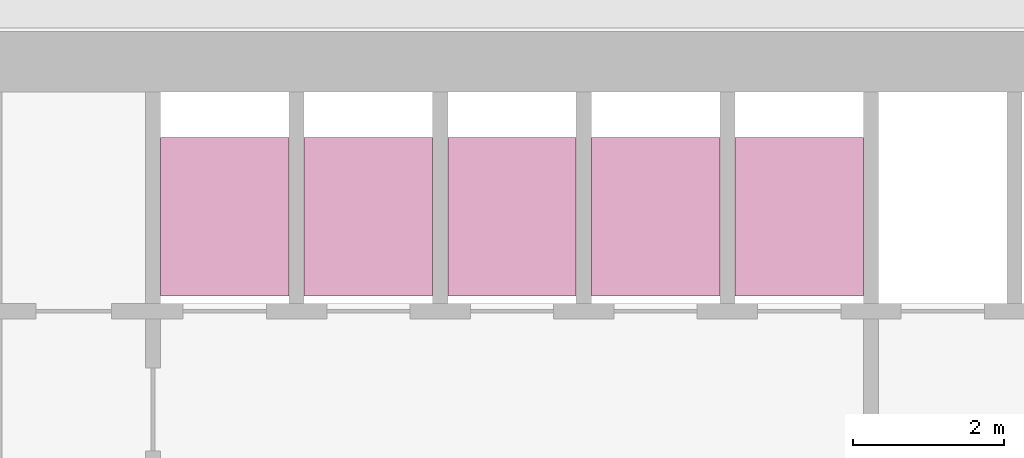
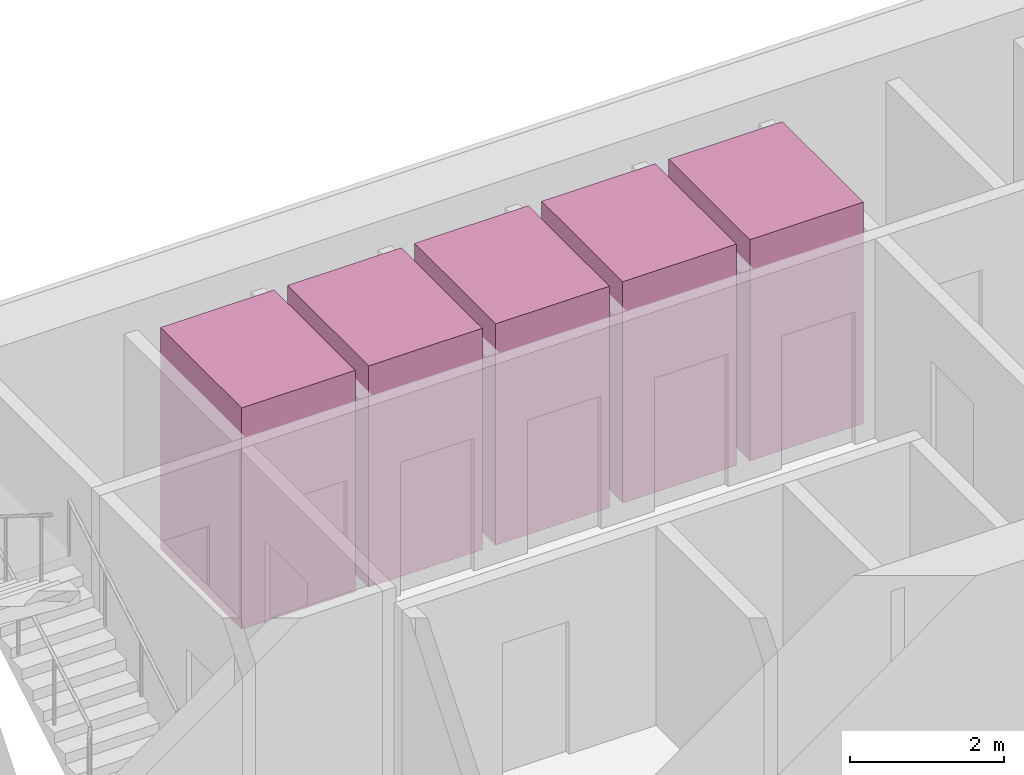
# One storey, part 13 of 13: 5 transport elements.
"""IFC4 building model written with IfcOpenShell, lengths in metres."""

from ifc_helpers import new_model, si_unit, direction, frame, origin, origin_2d, place, context, subcontext, project, spatial, rectangle, extrude, material, type_object, element, save


model = new_model("IFC4")

# Units and contexts
model_context = context("Model", 3, precision=1e-05, world=origin(), true_north=direction((0.0, 1.0)))
body_context = subcontext(model_context, "Body", "Model", "MODEL_VIEW")
ifc_project = project(units=[si_unit("LENGTHUNIT", "METRE"), si_unit("AREAUNIT", "SQUARE_METRE"), si_unit("VOLUMEUNIT", "CUBIC_METRE"), si_unit("PLANEANGLEUNIT", "RADIAN"), si_unit("MASSUNIT", "GRAM", prefix="KILO")], contexts=[model_context])

# Site, building, storey
site_placement = place(None, origin())
site = spatial("IfcSite", under=ifc_project, at=site_placement, CompositionType="ELEMENT")
building_placement = place(site_placement, origin())
building = spatial("IfcBuilding", under=site, at=building_placement, Name="Altiplano Prism Tower", CompositionType="ELEMENT")
storey_placement = place(building_placement, frame((0.0, 0.0, 156.60009765625)))
storey = spatial("IfcBuildingStorey", under=building, at=storey_placement, Name="L40", CompositionType="ELEMENT", Elevation=156.60009765625)

# Transport elements
ifc_material = material(Name="Stainless steel lift car", Category="steel")
transport_element_type = type_object("IfcTransportElementType", Name="Passenger lift car 1600 x 2100", PredefinedType="ELEVATOR", material=ifc_material)
for number, where, z_axis, x_axis, name in (
    (1, (79.050048828125, 101.75, 0.0498046875), (0.0, 0.0, 1.0), (1.0, 0.0, 0.0), "Mid Zone Passenger Lift 1"),
    (2, (80.949951171875, 101.75, 0.0498046875), (0.0, 0.0, 1.0), (1.0, 0.0, 0.0), "Mid Zone Passenger Lift 2"),
    (3, (82.85009765625, 101.75, 0.0498046875), (0.0, 0.0, 1.0), (1.0, 0.0, 0.0), "Mid Zone Passenger Lift 3"),
    (4, (84.75, 101.75, 0.0498046875), (0.0, 0.0, 1.0), (1.0, 0.0, 0.0), "Mid Zone Passenger Lift 4"),
    (5, (86.64990234375, 101.75, 0.0498046875), (0.0, 0.0, 1.0), (1.0, 0.0, 0.0), "Mid Zone Passenger Lift 5"),
):
    element("IfcTransportElement", number, at=place(storey_placement, frame(where, z_axis=z_axis, x_axis=x_axis)), inside=storey, type_object=transport_element_type, Name=name, PredefinedType="ELEVATOR", context=body_context, shape_type="SweptSolid", body=[
        extrude(rectangle(XDim=1.699951171875, YDim=2.10009765625, at=origin_2d()), origin(), (0.0, 0.0, 1.0), 3.5),
    ])

save(model, "model.ifc")
